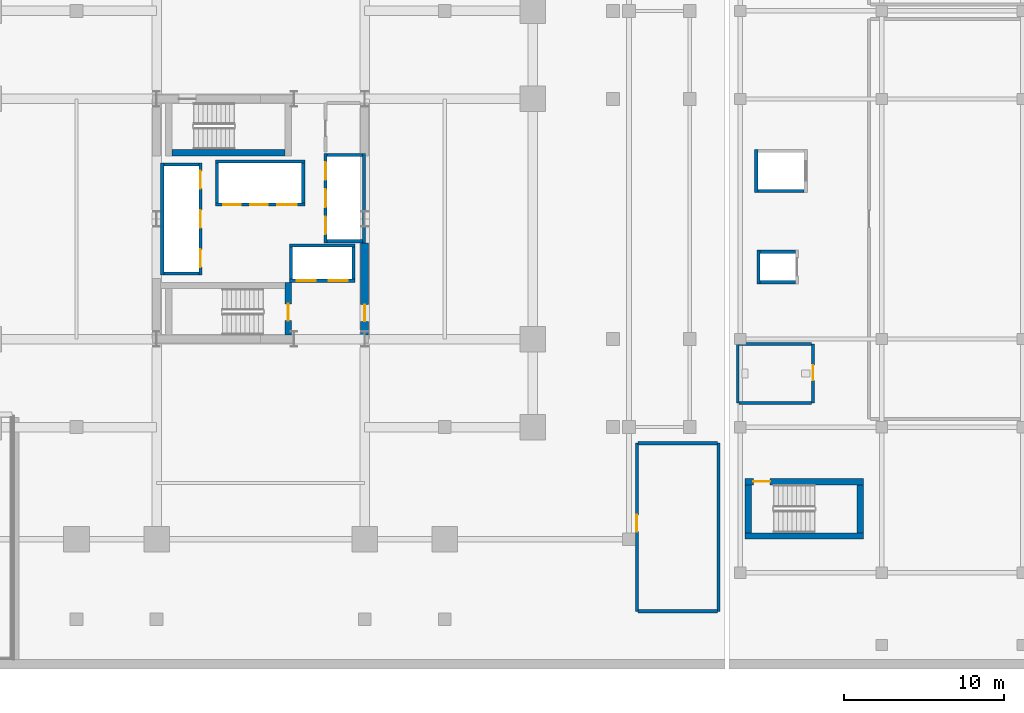
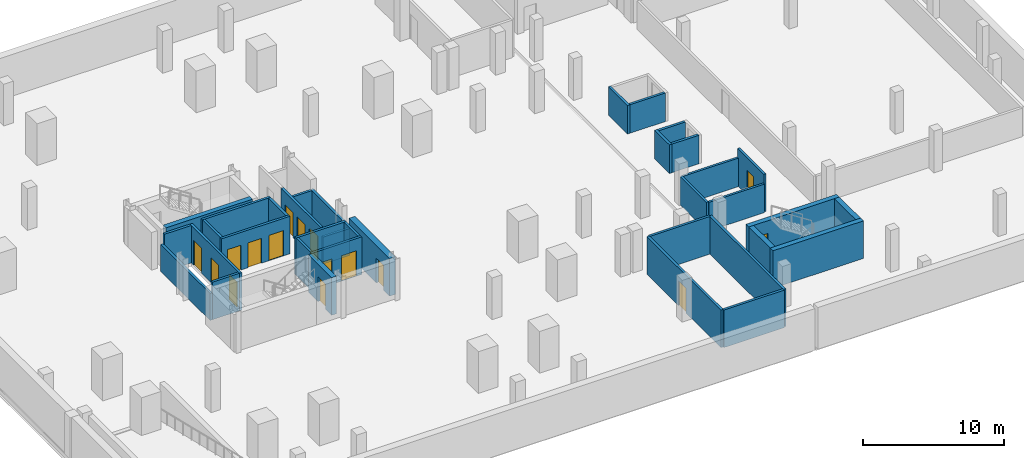
# One storey, part 4 of 11: 36 walls, 16 doors, 16 openings.
"""IFC4 building model written with IfcOpenShell, lengths in metres."""

import ifcopenshell
import ifcopenshell.guid

model = None  # the IFC model being written
_history = None  # IfcOwnerHistory: only IFC2X3 demands one
_inside = {}  # id of a spatial element -> (the spatial element, [elements in it])
_under = {}  # id of a project, library or spatial element -> (it, [spatial elements below it])
_declared = {}  # id of a project -> (the project, [libraries it declares])
_typed = {}  # id of a type object -> (the type object, [elements of that type])
_made_of = {}  # id of a material, layer set ... -> (it, [elements and type objects made of it])


def new_model(schema):
    """Start an empty IFC model of exactly this schema.

    Asked for "IFC4X3", IfcOpenShell would pick the latest addendum, in which some entities
    have other attributes; the version numbers below select the first issue.
    IFC2X3 requires an IfcOwnerHistory on every rooted entity: one is made here for all.
    """
    global model, _history
    if schema == "IFC4X3":
        model = ifcopenshell.file(schema_version=(4, 3, 0, 0))
    else:
        model = ifcopenshell.file(schema=schema)
    _inside.clear()
    _under.clear()
    _declared.clear()
    _typed.clear()
    _made_of.clear()
    _history = None
    if model.schema == "IFC2X3":
        org = make("IfcOrganization", Name="unknown")
        user = make(
            "IfcPersonAndOrganization",
            ThePerson=make("IfcPerson", FamilyName="unknown"),
            TheOrganization=org,
        )
        app = make(
            "IfcApplication",
            ApplicationDeveloper=org,
            Version="unknown",
            ApplicationFullName="unknown",
            ApplicationIdentifier="unknown",
        )
        _history = make(
            "IfcOwnerHistory",
            OwningUser=user,
            OwningApplication=app,
            ChangeAction="ADDED",
            CreationDate=0,
        )
    return model


def make(cls, **values):
    """One entity of the class cls with the attributes given. An attribute that is None is left unset."""
    return model.create_entity(
        cls, **{name: value for name, value in values.items() if value is not None}
    )


def rooted(cls, **values):
    """An entity with a GlobalId (a new one), such as an element, a storey or a relation."""
    return make(cls, GlobalId=ifcopenshell.guid.new(), OwnerHistory=_history, **values)


def si_unit(unit_type, name, prefix=None):
    """IfcSIUnit, for example si_unit("LENGTHUNIT", "METRE", prefix="MILLI")."""
    return make("IfcSIUnit", UnitType=unit_type, Prefix=prefix, Name=name)


def assignment(units):
    """IfcUnitAssignment: the units of a project."""
    return None if units is None else make("IfcUnitAssignment", Units=units)


def point(xyz):
    """IfcCartesianPoint."""
    return None if xyz is None else make("IfcCartesianPoint", Coordinates=xyz)


def direction(xyz):
    """IfcDirection."""
    return None if xyz is None else make("IfcDirection", DirectionRatios=xyz)


def frame(location, z_axis=None, x_axis=None):
    """IfcAxis2Placement3D, a coordinate frame: its origin and axes. An axis left out is left unset."""
    return make(
        "IfcAxis2Placement3D",
        Location=point(location),
        Axis=direction(z_axis),
        RefDirection=direction(x_axis),
    )


def frame_2d(location, x_axis=None):
    """IfcAxis2Placement2D, a coordinate frame in the plane: its origin and x axis."""
    return make(
        "IfcAxis2Placement2D", Location=point(location), RefDirection=direction(x_axis)
    )


def origin():
    """The frame at (0, 0, 0) with its axes left unset."""
    return frame((0.0, 0.0, 0.0))


def place(relative_to, where):
    """IfcLocalPlacement: puts the frame where relative to a parent placement (None: the world)."""
    return make(
        "IfcLocalPlacement", PlacementRelTo=relative_to, RelativePlacement=where
    )


def context(
    kind, dimensions, precision=None, world=None, true_north=None, identifier=None
):
    """IfcGeometricRepresentationContext, for example the 3D "Model" context."""
    return make(
        "IfcGeometricRepresentationContext",
        ContextIdentifier=identifier,
        ContextType=kind,
        CoordinateSpaceDimension=dimensions,
        Precision=precision,
        WorldCoordinateSystem=world,
        TrueNorth=true_north,
    )


def subcontext(parent, identifier, kind, view, scale=None):
    """IfcGeometricRepresentationSubContext, for example "Body" below "Model"."""
    return make(
        "IfcGeometricRepresentationSubContext",
        ContextIdentifier=identifier,
        ContextType=kind,
        ParentContext=parent,
        TargetScale=scale,
        TargetView=view,
    )


def project(units=None, contexts=None):
    """IfcProject with its units and contexts."""
    return rooted(
        "IfcProject",
        Name="project",
        RepresentationContexts=contexts,
        UnitsInContext=assignment(units),
    )


def spatial(cls, under=None, at=None, **own):
    """A site, building, storey or space (cls), placed at a placement, below another one or the project."""
    s = rooted(cls, ObjectPlacement=at, **own)
    if under is not None:
        _under.setdefault(under.id(), (under, []))[1].append(s)
    return s


def profile(cls, at=None, kind="AREA", **sizes):
    """A parametric profile (cls). Its sizes go by their IFC names, for example OverallWidth=200.0."""
    return make(cls, ProfileType=kind, Position=at, **sizes)


def rectangle(**sizes):
    """IfcRectangleProfileDef."""
    return profile("IfcRectangleProfileDef", **sizes)


def extrude(swept, where, along, depth):
    """IfcExtrudedAreaSolid: the profile swept, set in the frame where, extruded along a direction by depth."""
    return make(
        "IfcExtrudedAreaSolid",
        SweptArea=swept,
        Position=where,
        ExtrudedDirection=direction(along),
        Depth=depth,
    )


def shape(context_of_items, identifier, shape_type, items):
    """IfcShapeRepresentation: the items that make up one representation, for example the "Body"."""
    return make(
        "IfcShapeRepresentation",
        ContextOfItems=context_of_items,
        RepresentationIdentifier=identifier,
        RepresentationType=shape_type,
        Items=items,
    )


def material(Name=None, Category=None):
    """IfcMaterial."""
    return make("IfcMaterial", Name=Name, Category=Category)


def layer(
    of_material, thickness, ventilated=None, Name=None, Category=None, Priority=None
):
    """IfcMaterialLayer: one layer of a wall or slab, of a material (None: an air gap)."""
    return make(
        "IfcMaterialLayer",
        Material=of_material,
        LayerThickness=thickness,
        IsVentilated=ventilated,
        Name=Name,
        Category=Category,
        Priority=Priority,
    )


def layer_set(layers, Name=None):
    """IfcMaterialLayerSet."""
    return make("IfcMaterialLayerSet", MaterialLayers=layers, LayerSetName=Name)


def made_of(thing, what):
    """Note that an element or type object is made of a material, layer set ...; save() writes the relation."""
    if what is not None:
        _made_of.setdefault(what.id(), (what, []))[1].append(thing)
    return thing


def type_object(cls, material=None, **own):
    """A type object (cls), such as IfcWallType, which elements share."""
    return made_of(rooted(cls, **own), material)


def element(
    cls,
    number,
    at=None,
    inside=None,
    cuts=None,
    type_object=None,
    material=None,
    context=None,
    identifier="Body",
    shape_type=None,
    held_by="IfcProductDefinitionShape",
    body=None,
    shapes=None,
    **own,
):
    """One element of the class cls, such as IfcWall. Its Tag is "e" and its number.

    at: its placement. inside: the storey or other place that contains it. cuts: it is an
    opening in that element (IfcRelVoidsElement). A single representation is given by context,
    identifier, shape_type and body (its items); several are given by shapes. held_by: the class
    of the entity that holds the representations. save() writes the other relations.
    """
    e = rooted(cls, Tag="e%d" % number, ObjectPlacement=at, **own)
    if body is not None:
        shapes = [shape(context, identifier, shape_type, body)]
    if shapes is not None:
        e.Representation = make(held_by, Representations=shapes)
    if inside is not None:
        _inside.setdefault(inside.id(), (inside, []))[1].append(e)
    if cuts is not None:
        rooted(
            "IfcRelVoidsElement", RelatingBuildingElement=cuts, RelatedOpeningElement=e
        )
    if type_object is not None:
        _typed.setdefault(type_object.id(), (type_object, []))[1].append(e)
    return made_of(e, material)


def fill(opening, filler):
    """IfcRelFillsElement: the door or window that sits in an opening."""
    return rooted(
        "IfcRelFillsElement",
        RelatingOpeningElement=opening,
        RelatedBuildingElement=filler,
    )


def aggregate(whole, parts):
    """IfcRelAggregates: a whole, such as a stair, and the parts it consists of."""
    return rooted("IfcRelAggregates", RelatingObject=whole, RelatedObjects=parts)


def save(model, path):
    """Write the relations noted so far, then the file.

    IfcRelAggregates (storeys below a building ...), IfcRelContainedInSpatialStructure (elements
    in a storey), IfcRelDefinesByType, IfcRelAssociatesMaterial and IfcRelDeclares: one each for
    every whole, place, type object, material and project.
    """
    for whole, parts in _under.values():
        aggregate(whole, parts)
    for where, things in _inside.values():
        rooted(
            "IfcRelContainedInSpatialStructure",
            RelatedElements=things,
            RelatingStructure=where,
        )
    for kind, things in _typed.values():
        rooted("IfcRelDefinesByType", RelatedObjects=things, RelatingType=kind)
    for what, things in _made_of.values():
        rooted("IfcRelAssociatesMaterial", RelatedObjects=things, RelatingMaterial=what)
    for by, libraries in _declared.values():
        rooted("IfcRelDeclares", RelatingContext=by, RelatedDefinitions=libraries)
    model.write(path)


model = new_model("IFC4")

# Units and contexts
model_context = context("Model", 3, precision=1e-05, world=origin(), true_north=direction((0.0, 1.0)))
body_context = subcontext(model_context, "Body", "Model", "MODEL_VIEW")
ifc_project = project(units=[si_unit("LENGTHUNIT", "METRE"), si_unit("AREAUNIT", "SQUARE_METRE"), si_unit("VOLUMEUNIT", "CUBIC_METRE"), si_unit("PLANEANGLEUNIT", "RADIAN"), si_unit("MASSUNIT", "GRAM", prefix="KILO")], contexts=[model_context])

# Site, building, storey
site_placement = place(None, origin())
site = spatial("IfcSite", under=ifc_project, at=site_placement, CompositionType="ELEMENT")
building_placement = place(site_placement, origin())
building = spatial("IfcBuilding", under=site, at=building_placement, Name="Barlavira Tower and Art Museum", CompositionType="ELEMENT")
storey_placement = place(building_placement, frame((0.0, 0.0, -3.60009765625)))
storey = spatial("IfcBuildingStorey", under=building, at=storey_placement, Name="B01", CompositionType="ELEMENT", Elevation=-3.60009765625)

# Wall, opening, door
ifc_material_1 = material(Name="Concrete C60", Category="concrete")
ifc_layer_1 = layer(ifc_material_1, 0.5, Name="Concrete C60")
ifc_layer_set_1 = layer_set([ifc_layer_1], Name="Concrete C60")
wall_type_1 = type_object("IfcWallType", Name="Core Structural Shear Wall 500 Concrete C60", PredefinedType="SHEAR", material=ifc_layer_set_1)
wall_1_placement = place(storey_placement, frame((6.5, -7.25, 0.0), z_axis=(0.0, 0.0, 1.0), x_axis=(0.0, 1.0, 0.0)))
wall_1 = element("IfcWall", 1, at=wall_1_placement, inside=storey, type_object=wall_type_1, Name="B01 Core Shear Wall CS-E1", PredefinedType="SHEAR", context=body_context, shape_type="SweptSolid", body=[
    extrude(rectangle(XDim=5.75, YDim=0.5, at=frame_2d((2.875, 0.0))), origin(), (0.0, 0.0, 1.0), 3.25),
])
opening_1_placement = place(wall_1_placement, frame((0.85009765625, 0.0, 0.0)))
opening_1 = element("IfcOpeningElement", 2, at=opening_1_placement, cuts=wall_1, Name="Opening FD-90", PredefinedType="OPENING", context=body_context, shape_type="SweptSolid", body=[
    extrude(rectangle(XDim=1.050048828125, YDim=2.14990234375, at=frame_2d((0.52490234375, 1.074951171875))), frame((0.0, 0.260009765625, 0.0), z_axis=(0.0, -1.0, 0.0), x_axis=(1.0, 0.0, 0.0)), (0.0, 0.0, 1.0), 0.52001953125),
])
ifc_material_2 = material(Name="Brushed stainless steel", Category="steel")
door_type_1 = type_object("IfcDoorType", Name="Stair and Refuge Fire Door 1050x2150 FD90S", OperationType="NOTDEFINED", PredefinedType="DOOR", material=ifc_material_2)
door_1_placement = place(opening_1_placement, origin())
door_1 = element("IfcDoor", 3, at=door_1_placement, inside=storey, type_object=door_type_1, Name="B01 Firefighting Lobby Entry Fire Door", OperationType="SINGLE_SWING_LEFT", OverallHeight=2.14990234375, OverallWidth=1.050048828125, PredefinedType="DOOR", context=body_context, shape_type="SweptSolid", body=[
    extrude(rectangle(XDim=1.050048828125, YDim=2.14990234375, at=frame_2d((0.52490234375, 1.074951171875))), frame((0.0, 0.02490234375, 0.0), z_axis=(0.0, -1.0, 0.0), x_axis=(1.0, 0.0, 0.0)), (0.0, 0.0, 1.0), 0.050048828125),
])
fill(opening_1, door_1)

# Wall, openings, doors
ifc_material_3 = material(Name="Autoclaved aerated concrete masonry", Category="masonry")
ifc_layer_2 = layer(ifc_material_3, 0.199951171875, Name="Autoclaved aerated concrete masonry")
ifc_layer_set_2 = layer_set([ifc_layer_2], Name="Autoclaved aerated concrete masonry")
wall_type_2 = type_object("IfcWallType", Name="Fire Compartment and Shaft Wall 200", PredefinedType="SOLIDWALL", material=ifc_layer_set_2)
wall_2_placement = place(storey_placement, frame((-3.75, -3.510009765625, 0.0), z_axis=(0.0, 0.0, 1.0), x_axis=(0.0, 1.0, 0.0)))
wall_2 = element("IfcWall", 4, at=wall_2_placement, inside=storey, type_object=wall_type_2, Name="B01 Low-Rise Lift Front Shaft Wall", PredefinedType="SOLIDWALL", context=body_context, shape_type="SweptSolid", body=[
    extrude(rectangle(XDim=7.02001953125, YDim=0.199951171875, at=frame_2d((3.510009765625, 0.0))), origin(), (0.0, 0.0, 1.0), 3.25),
])
opening_2_placement = place(wall_2_placement, frame((0.510009765625, 0.0, 0.0)))
opening_2 = element("IfcOpeningElement", 5, at=opening_2_placement, cuts=wall_2, Name="Opening LD-P", PredefinedType="OPENING", context=body_context, shape_type="SweptSolid", body=[
    extrude(rectangle(XDim=1.10009765625, YDim=2.14990234375, at=frame_2d((0.550048828125, 1.074951171875))), frame((0.0, 0.10986328125, 0.0), z_axis=(0.0, -1.0, 0.0), x_axis=(1.0, 0.0, 0.0)), (0.0, 0.0, 1.0), 0.219970703125),
])
opening_3_placement = place(wall_2_placement, frame((2.9599609375, 0.0, 0.0)))
opening_3 = element("IfcOpeningElement", 6, at=opening_3_placement, cuts=wall_2, Name="Opening LD-P", PredefinedType="OPENING", context=body_context, shape_type="SweptSolid", body=[
    extrude(rectangle(XDim=1.10009765625, YDim=2.14990234375, at=frame_2d((0.550048828125, 1.074951171875))), frame((0.0, 0.10986328125, 0.0), z_axis=(0.0, -1.0, 0.0), x_axis=(1.0, 0.0, 0.0)), (0.0, 0.0, 1.0), 0.219970703125),
])
opening_4_placement = place(wall_2_placement, frame((5.409912109375, 0.0, 0.0)))
opening_4 = element("IfcOpeningElement", 7, at=opening_4_placement, cuts=wall_2, Name="Opening LD-P", PredefinedType="OPENING", context=body_context, shape_type="SweptSolid", body=[
    extrude(rectangle(XDim=1.10009765625, YDim=2.14990234375, at=frame_2d((0.550048828125, 1.074951171875))), frame((0.0, 0.10986328125, 0.0), z_axis=(0.0, -1.0, 0.0), x_axis=(1.0, 0.0, 0.0)), (0.0, 0.0, 1.0), 0.219970703125),
])
door_type_2 = type_object("IfcDoorType", Name="Passenger Lift Sliding Landing Door 1100x2150 FD60", OperationType="NOTDEFINED", PredefinedType="DOOR", material=ifc_material_2)
door_2_placement = place(opening_2_placement, origin())
door_2 = element("IfcDoor", 8, at=door_2_placement, inside=storey, type_object=door_type_2, Name="B01 Lift PL1 Sliding Landing Door", OperationType="DOUBLE_DOOR_SLIDING", OverallHeight=2.14990234375, OverallWidth=1.10009765625, PredefinedType="DOOR", context=body_context, shape_type="SweptSolid", body=[
    extrude(rectangle(XDim=1.10009765625, YDim=2.14990234375, at=frame_2d((0.550048828125, 1.074951171875))), frame((0.0, 0.02490234375, 0.0), z_axis=(0.0, -1.0, 0.0), x_axis=(1.0, 0.0, 0.0)), (0.0, 0.0, 1.0), 0.050048828125),
])
fill(opening_2, door_2)
door_3_placement = place(opening_3_placement, origin())
door_3 = element("IfcDoor", 9, at=door_3_placement, inside=storey, type_object=door_type_2, Name="B01 Lift PL2 Sliding Landing Door", OperationType="DOUBLE_DOOR_SLIDING", OverallHeight=2.14990234375, OverallWidth=1.10009765625, PredefinedType="DOOR", context=body_context, shape_type="SweptSolid", body=[
    extrude(rectangle(XDim=1.10009765625, YDim=2.14990234375, at=frame_2d((0.550048828125, 1.074951171875))), frame((0.0, 0.02490234375, 0.0), z_axis=(0.0, -1.0, 0.0), x_axis=(1.0, 0.0, 0.0)), (0.0, 0.0, 1.0), 0.050048828125),
])
fill(opening_3, door_3)
door_4_placement = place(opening_4_placement, origin())
door_4 = element("IfcDoor", 10, at=door_4_placement, inside=storey, type_object=door_type_2, Name="B01 Lift PL3 Sliding Landing Door", OperationType="DOUBLE_DOOR_SLIDING", OverallHeight=2.14990234375, OverallWidth=1.10009765625, PredefinedType="DOOR", context=body_context, shape_type="SweptSolid", body=[
    extrude(rectangle(XDim=1.10009765625, YDim=2.14990234375, at=frame_2d((0.550048828125, 1.074951171875))), frame((0.0, 0.02490234375, 0.0), z_axis=(0.0, -1.0, 0.0), x_axis=(1.0, 0.0, 0.0)), (0.0, 0.0, 1.0), 0.050048828125),
])
fill(opening_4, door_4)

# Walls
wall_3_placement = place(storey_placement, frame((-6.14990234375, -3.510009765625, 0.0), z_axis=(0.0, 0.0, 1.0), x_axis=(0.0, 1.0, 0.0)))
element("IfcWall", 11, at=wall_3_placement, inside=storey, type_object=wall_type_2, Name="B01 Low-Rise Lift Back Shaft Wall", PredefinedType="SOLIDWALL", context=body_context, shape_type="SweptSolid", body=[
    extrude(rectangle(XDim=7.02001953125, YDim=0.199951171875, at=frame_2d((3.510009765625, 0.0))), origin(), (0.0, 0.0, 1.0), 2.335205078125),
])
for number, where, z_axis, x_axis, name in (
    (12, (-6.050048828125, -3.409912109375, 0.0), (0.0, 0.0, 1.0), (1.0, 0.0, 0.0), "B01 Low-Rise Lift South Shaft Wall"),
    (13, (-6.050048828125, 3.409912109375, 0.0), (0.0, 0.0, 1.0), (1.0, 0.0, 0.0), "B01 Low-Rise Lift North Shaft Wall"),
):
    element("IfcWall", number, at=place(storey_placement, frame(where, z_axis=z_axis, x_axis=x_axis)), inside=storey, type_object=wall_type_2, Name=name, PredefinedType="SOLIDWALL", context=body_context, shape_type="SweptSolid", body=[
        extrude(rectangle(XDim=2.199951171875, YDim=0.199951171875, at=frame_2d((1.10009765625, 0.0))), origin(), (0.0, 0.0, 1.0), 3.25),
    ])

# Wall, openings, doors
wall_4_placement = place(storey_placement, frame((4.050048828125, -1.489990234375, 0.0), z_axis=(0.0, 0.0, 1.0), x_axis=(0.0, 1.0, 0.0)))
wall_4 = element("IfcWall", 14, at=wall_4_placement, inside=storey, type_object=wall_type_2, Name="B01 Mid-Rise Lift Front Shaft Wall", PredefinedType="SOLIDWALL", context=body_context, shape_type="SweptSolid", body=[
    extrude(rectangle(XDim=5.580078125, YDim=0.199951171875, at=frame_2d((2.7900390625, 0.0))), origin(), (0.0, 0.0, 1.0), 3.25),
])
opening_5_placement = place(wall_4_placement, frame((0.5400390625, 0.0, 0.0)))
opening_5 = element("IfcOpeningElement", 15, at=opening_5_placement, cuts=wall_4, Name="Opening LD-P", PredefinedType="OPENING", context=body_context, shape_type="SweptSolid", body=[
    extrude(rectangle(XDim=1.10009765625, YDim=2.14990234375, at=frame_2d((0.550048828125, 1.074951171875))), frame((0.0, 0.10986328125, 0.0), z_axis=(0.0, -1.0, 0.0), x_axis=(1.0, 0.0, 0.0)), (0.0, 0.0, 1.0), 0.219970703125),
])
opening_6_placement = place(wall_4_placement, frame((2.239990234375, 0.0, 0.0)))
opening_6 = element("IfcOpeningElement", 16, at=opening_6_placement, cuts=wall_4, Name="Opening LD-P", PredefinedType="OPENING", context=body_context, shape_type="SweptSolid", body=[
    extrude(rectangle(XDim=1.10009765625, YDim=2.14990234375, at=frame_2d((0.550048828125, 1.074951171875))), frame((0.0, 0.10986328125, 0.0), z_axis=(0.0, -1.0, 0.0), x_axis=(1.0, 0.0, 0.0)), (0.0, 0.0, 1.0), 0.219970703125),
])
opening_7_placement = place(wall_4_placement, frame((3.93994140625, 0.0, 0.0)))
opening_7 = element("IfcOpeningElement", 17, at=opening_7_placement, cuts=wall_4, Name="Opening LD-P", PredefinedType="OPENING", context=body_context, shape_type="SweptSolid", body=[
    extrude(rectangle(XDim=1.10009765625, YDim=2.14990234375, at=frame_2d((0.550048828125, 1.074951171875))), frame((0.0, 0.10986328125, 0.0), z_axis=(0.0, -1.0, 0.0), x_axis=(1.0, 0.0, 0.0)), (0.0, 0.0, 1.0), 0.219970703125),
])
door_5_placement = place(opening_5_placement, origin())
door_5 = element("IfcDoor", 18, at=door_5_placement, inside=storey, type_object=door_type_2, Name="B01 Lift PM1 Sliding Landing Door", OperationType="DOUBLE_DOOR_SLIDING", OverallHeight=2.14990234375, OverallWidth=1.10009765625, PredefinedType="DOOR", context=body_context, shape_type="SweptSolid", body=[
    extrude(rectangle(XDim=1.10009765625, YDim=2.14990234375, at=frame_2d((0.550048828125, 1.074951171875))), frame((0.0, 0.02490234375, 0.0), z_axis=(0.0, -1.0, 0.0), x_axis=(1.0, 0.0, 0.0)), (0.0, 0.0, 1.0), 0.050048828125),
])
fill(opening_5, door_5)
door_6_placement = place(opening_6_placement, origin())
door_6 = element("IfcDoor", 19, at=door_6_placement, inside=storey, type_object=door_type_2, Name="B01 Lift PM2 Sliding Landing Door", OperationType="DOUBLE_DOOR_SLIDING", OverallHeight=2.14990234375, OverallWidth=1.10009765625, PredefinedType="DOOR", context=body_context, shape_type="SweptSolid", body=[
    extrude(rectangle(XDim=1.10009765625, YDim=2.14990234375, at=frame_2d((0.550048828125, 1.074951171875))), frame((0.0, 0.02490234375, 0.0), z_axis=(0.0, -1.0, 0.0), x_axis=(1.0, 0.0, 0.0)), (0.0, 0.0, 1.0), 0.050048828125),
])
fill(opening_6, door_6)
door_7_placement = place(opening_7_placement, origin())
door_7 = element("IfcDoor", 20, at=door_7_placement, inside=storey, type_object=door_type_2, Name="B01 Lift PM3 Sliding Landing Door", OperationType="DOUBLE_DOOR_SLIDING", OverallHeight=2.14990234375, OverallWidth=1.10009765625, PredefinedType="DOOR", context=body_context, shape_type="SweptSolid", body=[
    extrude(rectangle(XDim=1.10009765625, YDim=2.14990234375, at=frame_2d((0.550048828125, 1.074951171875))), frame((0.0, 0.02490234375, 0.0), z_axis=(0.0, -1.0, 0.0), x_axis=(1.0, 0.0, 0.0)), (0.0, 0.0, 1.0), 0.050048828125),
])
fill(opening_7, door_7)

# Walls
wall_5_placement = place(storey_placement, frame((6.449951171875, -1.489990234375, 0.0), z_axis=(0.0, 0.0, 1.0), x_axis=(0.0, 1.0, 0.0)))
element("IfcWall", 21, at=wall_5_placement, inside=storey, type_object=wall_type_2, Name="B01 Mid-Rise Lift Back Shaft Wall", PredefinedType="SOLIDWALL", context=body_context, shape_type="SweptSolid", body=[
    extrude(rectangle(XDim=5.580078125, YDim=0.199951171875, at=frame_2d((2.7900390625, 0.0))), origin(), (0.0, 0.0, 1.0), 2.335205078125),
])
for number, where, z_axis, x_axis, name in (
    (22, (4.14990234375, -1.389892578125, 0.0), (0.0, 0.0, 1.0), (1.0, 0.0, 0.0), "B01 Mid-Rise Lift South Shaft Wall"),
    (23, (4.14990234375, 3.989990234375, 0.0), (0.0, 0.0, 1.0), (1.0, 0.0, 0.0), "B01 Mid-Rise Lift North Shaft Wall"),
):
    element("IfcWall", number, at=place(storey_placement, frame(where, z_axis=z_axis, x_axis=x_axis)), inside=storey, type_object=wall_type_2, Name=name, PredefinedType="SOLIDWALL", context=body_context, shape_type="SweptSolid", body=[
        extrude(rectangle(XDim=2.2001953125, YDim=0.199951171875, at=frame_2d((1.10009765625, 0.0))), origin(), (0.0, 0.0, 1.0), 2.335205078125),
    ])

# Wall, openings, doors
wall_6_placement = place(storey_placement, frame((-2.820068359375, 0.89990234375, 0.0), z_axis=(0.0, 0.0, 1.0), x_axis=(1.0, 0.0, 0.0)))
wall_6 = element("IfcWall", 24, at=wall_6_placement, inside=storey, type_object=wall_type_2, Name="B01 High-Rise & Service Lift Front Wall", PredefinedType="SOLIDWALL", context=body_context, shape_type="SweptSolid", body=[
    extrude(rectangle(XDim=5.580078125, YDim=0.199951171875, at=frame_2d((2.7900390625, 0.0))), origin(), (0.0, 0.0, 1.0), 3.25),
])
opening_8_placement = place(wall_6_placement, frame((0.489990234375, 0.0, 0.0)))
opening_8 = element("IfcOpeningElement", 25, at=opening_8_placement, cuts=wall_6, Name="Opening LD-P", PredefinedType="OPENING", context=body_context, shape_type="SweptSolid", body=[
    extrude(rectangle(XDim=1.10009765625, YDim=2.14990234375, at=frame_2d((0.550048828125, 1.074951171875))), frame((0.0, 0.10986328125, 0.0), z_axis=(0.0, -1.0, 0.0), x_axis=(1.0, 0.0, 0.0)), (0.0, 0.0, 1.0), 0.219970703125),
])
opening_9_placement = place(wall_6_placement, frame((2.169921875, 0.0, 0.0)))
opening_9 = element("IfcOpeningElement", 26, at=opening_9_placement, cuts=wall_6, Name="Opening LD-P", PredefinedType="OPENING", context=body_context, shape_type="SweptSolid", body=[
    extrude(rectangle(XDim=1.10009765625, YDim=2.14990234375, at=frame_2d((0.550048828125, 1.074951171875))), frame((0.0, 0.10986328125, 0.0), z_axis=(0.0, -1.0, 0.0), x_axis=(1.0, 0.0, 0.0)), (0.0, 0.0, 1.0), 0.219970703125),
])
opening_10_placement = place(wall_6_placement, frame((3.860107421875, 0.0, 0.0)))
opening_10 = element("IfcOpeningElement", 27, at=opening_10_placement, cuts=wall_6, Name="Opening LD-F", PredefinedType="OPENING", context=body_context, shape_type="SweptSolid", body=[
    extrude(rectangle(XDim=1.199951171875, YDim=2.199951171875, at=frame_2d((0.60009765625, 1.10009765625))), frame((0.0, 0.10986328125, 0.0), z_axis=(0.0, -1.0, 0.0), x_axis=(1.0, 0.0, 0.0)), (0.0, 0.0, 1.0), 0.219970703125),
])
door_type_3 = type_object("IfcDoorType", Name="Firefighting and Service Lift Sliding Door 1200x2200 FD120", OperationType="NOTDEFINED", PredefinedType="DOOR", material=ifc_material_2)
door_8_placement = place(opening_10_placement, origin())
door_8 = element("IfcDoor", 28, at=door_8_placement, inside=storey, type_object=door_type_3, Name="B01 Stretcher Service Lift SL1 Sliding Door", OperationType="DOUBLE_DOOR_SLIDING", OverallHeight=2.199951171875, OverallWidth=1.199951171875, PredefinedType="DOOR", context=body_context, shape_type="SweptSolid", body=[
    extrude(rectangle(XDim=1.199951171875, YDim=2.199951171875, at=frame_2d((0.60009765625, 1.10009765625))), frame((0.0, 0.02490234375, 0.0), z_axis=(0.0, -1.0, 0.0), x_axis=(1.0, 0.0, 0.0)), (0.0, 0.0, 1.0), 0.050048828125),
])
fill(opening_10, door_8)
door_9_placement = place(opening_8_placement, origin())
door_9 = element("IfcDoor", 29, at=door_9_placement, inside=storey, type_object=door_type_2, Name="B01 Lift PH1 Sliding Landing Door", OperationType="DOUBLE_DOOR_SLIDING", OverallHeight=2.14990234375, OverallWidth=1.10009765625, PredefinedType="DOOR", context=body_context, shape_type="SweptSolid", body=[
    extrude(rectangle(XDim=1.10009765625, YDim=2.14990234375, at=frame_2d((0.550048828125, 1.074951171875))), frame((0.0, 0.02490234375, 0.0), z_axis=(0.0, -1.0, 0.0), x_axis=(1.0, 0.0, 0.0)), (0.0, 0.0, 1.0), 0.050048828125),
])
fill(opening_8, door_9)
door_10_placement = place(opening_9_placement, origin())
door_10 = element("IfcDoor", 30, at=door_10_placement, inside=storey, type_object=door_type_2, Name="B01 Lift PH2 Sliding Landing Door", OperationType="DOUBLE_DOOR_SLIDING", OverallHeight=2.14990234375, OverallWidth=1.10009765625, PredefinedType="DOOR", context=body_context, shape_type="SweptSolid", body=[
    extrude(rectangle(XDim=1.10009765625, YDim=2.14990234375, at=frame_2d((0.550048828125, 1.074951171875))), frame((0.0, 0.02490234375, 0.0), z_axis=(0.0, -1.0, 0.0), x_axis=(1.0, 0.0, 0.0)), (0.0, 0.0, 1.0), 0.050048828125),
])
fill(opening_9, door_10)

# Walls
wall_7_placement = place(storey_placement, frame((-2.820068359375, 3.60009765625, 0.0), z_axis=(0.0, 0.0, 1.0), x_axis=(1.0, 0.0, 0.0)))
element("IfcWall", 31, at=wall_7_placement, inside=storey, type_object=wall_type_2, Name="B01 High-Rise & Service Lift Back Wall", PredefinedType="SOLIDWALL", context=body_context, shape_type="SweptSolid", body=[
    extrude(rectangle(XDim=5.580078125, YDim=0.199951171875, at=frame_2d((2.7900390625, 0.0))), origin(), (0.0, 0.0, 1.0), 3.25),
])
for number, where, z_axis, x_axis, name in (
    (32, (-2.719970703125, 1.0, 0.0), (0.0, 0.0, 1.0), (0.0, 1.0, 0.0), "B01 High-Rise & Service Lift West Wall"),
    (33, (2.659912109375, 1.0, 0.0), (0.0, 0.0, 1.0), (0.0, 1.0, 0.0), "B01 High-Rise & Service Lift East Wall"),
):
    element("IfcWall", number, at=place(storey_placement, frame(where, z_axis=z_axis, x_axis=x_axis)), inside=storey, type_object=wall_type_2, Name=name, PredefinedType="SOLIDWALL", context=body_context, shape_type="SweptSolid", body=[
        extrude(rectangle(XDim=2.5, YDim=0.199951171875, at=frame_2d((1.25, 0.0))), origin(), (0.0, 0.0, 1.0), 3.25),
    ])

# Wall, openings, doors
wall_8_placement = place(storey_placement, frame((1.800048828125, -3.85009765625, 0.0), z_axis=(0.0, 0.0, 1.0), x_axis=(1.0, 0.0, 0.0)))
wall_8 = element("IfcWall", 34, at=wall_8_placement, inside=storey, type_object=wall_type_2, Name="B01 Firefighting Lift Front Shaft Wall", PredefinedType="SOLIDWALL", context=body_context, shape_type="SweptSolid", body=[
    extrude(rectangle(XDim=4.099853515625, YDim=0.199951171875, at=frame_2d((2.0498046875, 0.0))), origin(), (0.0, 0.0, 1.0), 3.25),
])
opening_11_placement = place(wall_8_placement, frame((0.449951171875, 0.0, 0.0)))
opening_11 = element("IfcOpeningElement", 35, at=opening_11_placement, cuts=wall_8, Name="Opening LD-F", PredefinedType="OPENING", context=body_context, shape_type="SweptSolid", body=[
    extrude(rectangle(XDim=1.199951171875, YDim=2.199951171875, at=frame_2d((0.60009765625, 1.10009765625))), frame((0.0, 0.10986328125, 0.0), z_axis=(0.0, -1.0, 0.0), x_axis=(1.0, 0.0, 0.0)), (0.0, 0.0, 1.0), 0.219970703125),
])
opening_12_placement = place(wall_8_placement, frame((2.449951171875, 0.0, 0.0)))
opening_12 = element("IfcOpeningElement", 36, at=opening_12_placement, cuts=wall_8, Name="Opening LD-F", PredefinedType="OPENING", context=body_context, shape_type="SweptSolid", body=[
    extrude(rectangle(XDim=1.199951171875, YDim=2.199951171875, at=frame_2d((0.60009765625, 1.10009765625))), frame((0.0, 0.10986328125, 0.0), z_axis=(0.0, -1.0, 0.0), x_axis=(1.0, 0.0, 0.0)), (0.0, 0.0, 1.0), 0.219970703125),
])
door_11_placement = place(opening_11_placement, origin())
door_11 = element("IfcDoor", 37, at=door_11_placement, inside=storey, type_object=door_type_3, Name="B01 Firefighting Lift FF1 Sliding Door", OperationType="DOUBLE_DOOR_SLIDING", OverallHeight=2.199951171875, OverallWidth=1.199951171875, PredefinedType="DOOR", context=body_context, shape_type="SweptSolid", body=[
    extrude(rectangle(XDim=1.199951171875, YDim=2.199951171875, at=frame_2d((0.60009765625, 1.10009765625))), frame((0.0, 0.02490234375, 0.0), z_axis=(0.0, -1.0, 0.0), x_axis=(1.0, 0.0, 0.0)), (0.0, 0.0, 1.0), 0.050048828125),
])
fill(opening_11, door_11)
door_12_placement = place(opening_12_placement, origin())
door_12 = element("IfcDoor", 38, at=door_12_placement, inside=storey, type_object=door_type_3, Name="B01 Firefighting Lift FF2 Sliding Door", OperationType="DOUBLE_DOOR_SLIDING", OverallHeight=2.199951171875, OverallWidth=1.199951171875, PredefinedType="DOOR", context=body_context, shape_type="SweptSolid", body=[
    extrude(rectangle(XDim=1.199951171875, YDim=2.199951171875, at=frame_2d((0.60009765625, 1.10009765625))), frame((0.0, 0.02490234375, 0.0), z_axis=(0.0, -1.0, 0.0), x_axis=(1.0, 0.0, 0.0)), (0.0, 0.0, 1.0), 0.050048828125),
])
fill(opening_12, door_12)

# Walls
wall_9_placement = place(storey_placement, frame((1.800048828125, -1.64990234375, 0.0), z_axis=(0.0, 0.0, 1.0), x_axis=(1.0, 0.0, 0.0)))
element("IfcWall", 39, at=wall_9_placement, inside=storey, type_object=wall_type_2, Name="B01 Firefighting Lift Back Shaft Wall", PredefinedType="SOLIDWALL", context=body_context, shape_type="SweptSolid", body=[
    extrude(rectangle(XDim=4.099853515625, YDim=0.199951171875, at=frame_2d((2.0498046875, 0.0))), origin(), (0.0, 0.0, 1.0), 3.25),
])
for number, where, z_axis, x_axis, name in (
    (40, (1.89990234375, -3.75, 0.0), (0.0, 0.0, 1.0), (0.0, 1.0, 0.0), "B01 Firefighting Lift West Shaft Wall"),
    (41, (5.800048828125, -3.75, 0.0), (0.0, 0.0, 1.0), (0.0, 1.0, 0.0), "B01 Firefighting Lift East Shaft Wall"),
):
    element("IfcWall", number, at=place(storey_placement, frame(where, z_axis=z_axis, x_axis=x_axis)), inside=storey, type_object=wall_type_2, Name=name, PredefinedType="SOLIDWALL", context=body_context, shape_type="SweptSolid", body=[
        extrude(rectangle(XDim=2.0, YDim=0.199951171875, at=frame_2d((1.0, 0.0))), origin(), (0.0, 0.0, 1.0), 3.25),
    ])
wall_10_placement = place(storey_placement, frame((31.10009765625, -4.050048828125, 0.0), z_axis=(0.0, 0.0, 1.0), x_axis=(0.0, 1.0, 0.0)))
element("IfcWall", 42, at=wall_10_placement, inside=storey, type_object=wall_type_2, Name="B01 Museum Lift ML1 Back Wall", PredefinedType="SOLIDWALL", context=body_context, shape_type="SweptSolid", body=[
    extrude(rectangle(XDim=2.10009765625, YDim=0.199951171875, at=frame_2d((1.050048828125, 0.0))), origin(), (0.0, 0.0, 1.0), 2.467041015625),
])
for number, where, z_axis, x_axis, name in (
    (43, (31.199951171875, -3.949951171875, 0.0), (0.0, 0.0, 1.0), (1.0, 0.0, 0.0), "B01 Museum Lift ML1 South Wall"),
    (44, (31.199951171875, -2.050048828125, 0.0), (0.0, 0.0, 1.0), (1.0, 0.0, 0.0), "B01 Museum Lift ML1 North Wall"),
):
    element("IfcWall", number, at=place(storey_placement, frame(where, z_axis=z_axis, x_axis=x_axis)), inside=storey, type_object=wall_type_2, Name=name, PredefinedType="SOLIDWALL", context=body_context, shape_type="SweptSolid", body=[
        extrude(rectangle(XDim=2.199951171875, YDim=0.199951171875, at=frame_2d((1.10009765625, 0.0))), origin(), (0.0, 0.0, 1.0), 2.467041015625),
    ])
wall_11_placement = place(storey_placement, frame((30.949951171875, 1.64990234375, 0.0), z_axis=(0.0, 0.0, 1.0), x_axis=(0.0, 1.0, 0.0)))
element("IfcWall", 45, at=wall_11_placement, inside=storey, type_object=wall_type_2, Name="B01 Museum Lift MG1 Back Wall", PredefinedType="SOLIDWALL", context=body_context, shape_type="SweptSolid", body=[
    extrude(rectangle(XDim=2.7001953125, YDim=0.199951171875, at=frame_2d((1.35009765625, 0.0))), origin(), (0.0, 0.0, 1.0), 2.467041015625),
])
wall_12_placement = place(storey_placement, frame((31.050048828125, 1.75, 0.0), z_axis=(0.0, 0.0, 1.0), x_axis=(1.0, 0.0, 0.0)))
element("IfcWall", 46, at=wall_12_placement, inside=storey, type_object=wall_type_2, Name="B01 Museum Lift MG1 South Wall", PredefinedType="SOLIDWALL", context=body_context, shape_type="SweptSolid", body=[
    extrude(rectangle(XDim=2.89990234375, YDim=0.199951171875, at=frame_2d((1.449951171875, 0.0))), origin(), (0.0, 0.0, 1.0), 2.467041015625),
])

# Wall, opening, door
wall_13_placement = place(storey_placement, frame((23.5, -24.5, 0.0), z_axis=(0.0, 0.0, 1.0), x_axis=(0.0, 1.0, 0.0)))
wall_13 = element("IfcWall", 47, at=wall_13_placement, inside=storey, type_object=wall_type_2, Name="B01 Partition Wall 2", PredefinedType="SOLIDWALL", context=body_context, shape_type="SweptSolid", body=[
    extrude(rectangle(XDim=10.5, YDim=0.199951171875, at=frame_2d((5.25, 0.0))), origin(), (0.0, 0.0, 1.0), 3.25),
])
opening_13_placement = place(wall_13_placement, frame((4.97509765625, 0.0, 0.0)))
opening_13 = element("IfcOpeningElement", 48, at=opening_13_placement, cuts=wall_13, Name="Opening FD-90", PredefinedType="OPENING", context=body_context, shape_type="SweptSolid", body=[
    extrude(rectangle(XDim=1.050048828125, YDim=2.14990234375, at=frame_2d((0.52490234375, 1.074951171875))), frame((0.0, 0.10986328125, 0.0), z_axis=(0.0, -1.0, 0.0), x_axis=(1.0, 0.0, 0.0)), (0.0, 0.0, 1.0), 0.219970703125),
])
door_13_placement = place(opening_13_placement, origin())
door_13 = element("IfcDoor", 49, at=door_13_placement, inside=storey, type_object=door_type_1, Name="B01 Fire Pump and Sprinkler Tank Room Door", OperationType="SINGLE_SWING_LEFT", OverallHeight=2.14990234375, OverallWidth=1.050048828125, PredefinedType="DOOR", context=body_context, shape_type="SweptSolid", body=[
    extrude(rectangle(XDim=1.050048828125, YDim=2.14990234375, at=frame_2d((0.52490234375, 1.074951171875))), frame((0.0, 0.02490234375, 0.0), z_axis=(0.0, -1.0, 0.0), x_axis=(1.0, 0.0, 0.0)), (0.0, 0.0, 1.0), 0.050048828125),
])
fill(opening_13, door_13)

# Walls
wall_14_placement = place(storey_placement, frame((28.60009765625, -24.5, 0.0), z_axis=(0.0, 0.0, 1.0), x_axis=(0.0, 1.0, 0.0)))
element("IfcWall", 50, at=wall_14_placement, inside=storey, type_object=wall_type_2, Name="B01 Partition Wall 4", PredefinedType="SOLIDWALL", context=body_context, shape_type="SweptSolid", body=[
    extrude(rectangle(XDim=10.5, YDim=0.199951171875, at=frame_2d((5.25, 0.0))), origin(), (0.0, 0.0, 1.0), 3.25),
])
for number, where, z_axis, x_axis, name in (
    (51, (23.580078125, -24.5, 0.0), (0.0, 0.0, 1.0), (1.0, 0.0, 0.0), "B01 Partition Wall 12"),
    (52, (23.580078125, -14.0, 0.0), (0.0, 0.0, 1.0), (1.0, 0.0, 0.0), "B01 Partition Wall 13"),
):
    element("IfcWall", number, at=place(storey_placement, frame(where, z_axis=z_axis, x_axis=x_axis)), inside=storey, type_object=wall_type_2, Name=name, PredefinedType="SOLIDWALL", context=body_context, shape_type="SweptSolid", body=[
        extrude(rectangle(XDim=4.93994140625, YDim=0.199951171875, at=frame_2d((2.469970703125, 0.0))), origin(), (0.0, 0.0, 1.0), 3.25),
    ])
ifc_material_4 = material(Name="Gypsum acoustic stud partition", Category="gypsum")
ifc_layer_3 = layer(ifc_material_4, 0.179931640625, Name="Gypsum acoustic stud partition")
ifc_layer_set_3 = layer_set([ifc_layer_3], Name="Gypsum acoustic stud partition")
wall_type_3 = type_object("IfcWallType", Name="Inter-Tenancy Party Partition Wall 180", PredefinedType="PARTITIONING", material=ifc_layer_set_3)
wall_15_placement = place(storey_placement, frame((29.800048828125, -11.5, 0.0), z_axis=(0.0, 0.0, 1.0), x_axis=(0.0, 1.0, 0.0)))
element("IfcWall", 53, at=wall_15_placement, inside=storey, type_object=wall_type_3, Name="B01 Partition Wall 6", PredefinedType="PARTITIONING", context=body_context, shape_type="SweptSolid", body=[
    extrude(rectangle(XDim=3.699951171875, YDim=0.179931640625, at=frame_2d((1.85009765625, 0.0))), origin(), (0.0, 0.0, 1.0), 2.467041015625),
])

# Wall, opening, door
wall_16_placement = place(storey_placement, frame((34.5, -11.5, 0.0), z_axis=(0.0, 0.0, 1.0), x_axis=(0.0, 1.0, 0.0)))
wall_16 = element("IfcWall", 54, at=wall_16_placement, inside=storey, type_object=wall_type_3, Name="B01 Partition Wall 7", PredefinedType="PARTITIONING", context=body_context, shape_type="SweptSolid", body=[
    extrude(rectangle(XDim=3.699951171875, YDim=0.179931640625, at=frame_2d((1.85009765625, 0.0))), origin(), (0.0, 0.0, 1.0), 3.25),
])
opening_14_placement = place(wall_16_placement, frame((1.425048828125, 0.0, 0.0)))
opening_14 = element("IfcOpeningElement", 55, at=opening_14_placement, cuts=wall_16, Name="Opening FD-60", PredefinedType="OPENING", context=body_context, shape_type="SweptSolid", body=[
    extrude(rectangle(XDim=0.949951171875, YDim=2.14990234375, at=frame_2d((0.47509765625, 1.074951171875))), frame((0.0, 0.10009765625, 0.0), z_axis=(0.0, -1.0, 0.0), x_axis=(1.0, 0.0, 0.0)), (0.0, 0.0, 1.0), 0.199951171875),
])
door_type_4 = type_object("IfcDoorType", Name="Apartment Entrance and Riser Fire Door 950x2150 FD60S", OperationType="NOTDEFINED", PredefinedType="DOOR", material=ifc_material_2)
door_14_placement = place(opening_14_placement, origin())
door_14 = element("IfcDoor", 56, at=door_14_placement, inside=storey, type_object=door_type_4, Name="B01 Car-Park Accessible Restroom Door", OperationType="SINGLE_SWING_LEFT", OverallHeight=2.14990234375, OverallWidth=0.949951171875, PredefinedType="DOOR", context=body_context, shape_type="SweptSolid", body=[
    extrude(rectangle(XDim=0.949951171875, YDim=2.14990234375, at=frame_2d((0.47509765625, 1.074951171875))), frame((0.0, 0.02490234375, 0.0), z_axis=(0.0, -1.0, 0.0), x_axis=(1.0, 0.0, 0.0)), (0.0, 0.0, 1.0), 0.050048828125),
])
fill(opening_14, door_14)

# Walls
for number, where, z_axis, x_axis, name in (
    (57, (29.8798828125, -11.5, 0.0), (0.0, 0.0, 1.0), (1.0, 0.0, 0.0), "B01 Partition Wall 15"),
    (58, (29.8798828125, -7.800048828125, 0.0), (0.0, 0.0, 1.0), (1.0, 0.0, 0.0), "B01 Partition Wall 16"),
):
    element("IfcWall", number, at=place(storey_placement, frame(where, z_axis=z_axis, x_axis=x_axis)), inside=storey, type_object=wall_type_3, Name=name, PredefinedType="PARTITIONING", context=body_context, shape_type="SweptSolid", body=[
        extrude(rectangle(XDim=4.5400390625, YDim=0.179931640625, at=frame_2d((2.27001953125, 0.0))), origin(), (0.0, 0.0, 1.0), 2.467041015625),
    ])

# Wall, opening, door
ifc_material_5 = material(Name="Concrete C55", Category="concrete")
ifc_layer_4 = layer(ifc_material_5, 0.39990234375, Name="Concrete C55")
ifc_layer_set_4 = layer_set([ifc_layer_4], Name="Concrete C55")
wall_type_4 = type_object("IfcWallType", Name="Upper Core Shear Wall 400 Concrete C55", PredefinedType="SHEAR", material=ifc_layer_set_4)
wall_17_placement = place(storey_placement, frame((1.72998046875, -7.25, 0.0), z_axis=(0.0, 0.0, 1.0), x_axis=(0.0, 1.0, 0.0)))
wall_17 = element("IfcWall", 59, at=wall_17_placement, inside=storey, type_object=wall_type_4, Name="B01 ST-T1 East Landing Wall", PredefinedType="SHEAR", context=body_context, shape_type="SweptSolid", body=[
    extrude(rectangle(XDim=3.300048828125, YDim=0.39990234375, at=frame_2d((1.64990234375, 0.0))), origin(), (0.0, 0.0, 1.0), 3.25),
])
opening_15_placement = place(wall_17_placement, frame((0.89990234375, 0.0, 0.0)))
opening_15 = element("IfcOpeningElement", 60, at=opening_15_placement, cuts=wall_17, Name="Opening FD-90", PredefinedType="OPENING", context=body_context, shape_type="SweptSolid", body=[
    extrude(rectangle(XDim=1.050048828125, YDim=2.14990234375, at=frame_2d((0.52490234375, 1.074951171875))), frame((0.0, 0.2099609375, 0.0), z_axis=(0.0, -1.0, 0.0), x_axis=(1.0, 0.0, 0.0)), (0.0, 0.0, 1.0), 0.419921875),
])
door_15_placement = place(opening_15_placement, origin())
door_15 = element("IfcDoor", 61, at=door_15_placement, inside=storey, type_object=door_type_1, Name="B01 Stair ST-T1 Fire Door", OperationType="SINGLE_SWING_RIGHT", OverallHeight=2.14990234375, OverallWidth=1.050048828125, PredefinedType="DOOR", context=body_context, shape_type="SweptSolid", body=[
    extrude(rectangle(XDim=1.050048828125, YDim=2.14990234375, at=frame_2d((0.52490234375, 1.074951171875))), frame((0.0, 0.02490234375, 0.0), z_axis=(0.0, -1.0, 0.0), x_axis=(1.0, 0.0, 0.0)), (0.0, 0.0, 1.0), 0.050048828125),
])
fill(opening_15, door_15)

# Walls
wall_18_placement = place(storey_placement, frame((-5.550048828125, 4.14990234375, 0.0), z_axis=(0.0, 0.0, 1.0), x_axis=(1.0, 0.0, 0.0)))
element("IfcWall", 62, at=wall_18_placement, inside=storey, type_object=wall_type_4, Name="B01 ST-T2 South Shaft Wall", PredefinedType="SHEAR", context=body_context, shape_type="SweptSolid", body=[
    extrude(rectangle(XDim=7.080078125, YDim=0.39990234375, at=frame_2d((3.5400390625, 0.0))), origin(), (0.0, 0.0, 1.0), 3.25),
])
wall_19_placement = place(storey_placement, frame((37.64990234375, -19.800048828125, 0.0), z_axis=(0.0, 0.0, 1.0), x_axis=(-1.0, 0.0, 0.0)))
element("IfcWall", 63, at=wall_19_placement, inside=storey, type_object=wall_type_4, Name="B01 ST-M1 South Shaft Wall", PredefinedType="SHEAR", context=body_context, shape_type="SweptSolid", body=[
    extrude(rectangle(XDim=7.39990234375, YDim=0.39990234375, at=frame_2d((3.699951171875, 0.0))), origin(), (0.0, 0.0, 1.0), 3.25),
])
for number, where, z_axis, x_axis, name in (
    (64, (37.449951171875, -19.60009765625, 0.0), (0.0, 0.0, 1.0), (0.0, 1.0, 0.0), "B01 ST-M1 East Half-Landing Wall"),
    (65, (30.449951171875, -19.60009765625, 0.0), (0.0, 0.0, 1.0), (0.0, 1.0, 0.0), "B01 ST-M1 West Shaft Wall"),
):
    element("IfcWall", number, at=place(storey_placement, frame(where, z_axis=z_axis, x_axis=x_axis)), inside=storey, type_object=wall_type_4, Name=name, PredefinedType="SHEAR", context=body_context, shape_type="SweptSolid", body=[
        extrude(rectangle(XDim=3.0, YDim=0.39990234375, at=frame_2d((1.5, 0.0))), origin(), (0.0, 0.0, 1.0), 3.25),
    ])

# Wall, opening, door
wall_20_placement = place(storey_placement, frame((30.25, -16.39990234375, 0.0), z_axis=(0.0, 0.0, 1.0), x_axis=(1.0, 0.0, 0.0)))
wall_20 = element("IfcWall", 66, at=wall_20_placement, inside=storey, type_object=wall_type_4, Name="B01 ST-M1 North Landing Wall", PredefinedType="SHEAR", context=body_context, shape_type="SweptSolid", body=[
    extrude(rectangle(XDim=7.39990234375, YDim=0.39990234375, at=frame_2d((3.699951171875, 0.0))), origin(), (0.0, 0.0, 1.0), 3.25),
])
opening_16_placement = place(wall_20_placement, frame((0.52001953125, 0.0, 0.0)))
opening_16 = element("IfcOpeningElement", 67, at=opening_16_placement, cuts=wall_20, Name="Opening FD-90", PredefinedType="OPENING", context=body_context, shape_type="SweptSolid", body=[
    extrude(rectangle(XDim=1.050048828125, YDim=2.14990234375, at=frame_2d((0.52490234375, 1.074951171875))), frame((0.0, 0.2099609375, 0.0), z_axis=(0.0, -1.0, 0.0), x_axis=(1.0, 0.0, 0.0)), (0.0, 0.0, 1.0), 0.419921875),
])
door_16_placement = place(opening_16_placement, origin())
door_16 = element("IfcDoor", 68, at=door_16_placement, inside=storey, type_object=door_type_1, Name="B01 Museum South Stair ST-M1 Fire Door", OperationType="SINGLE_SWING_LEFT", OverallHeight=2.14990234375, OverallWidth=1.050048828125, PredefinedType="DOOR", context=body_context, shape_type="SweptSolid", body=[
    extrude(rectangle(XDim=1.050048828125, YDim=2.14990234375, at=frame_2d((0.52490234375, 1.074951171875))), frame((0.0, 0.02490234375, 0.0), z_axis=(0.0, -1.0, 0.0), x_axis=(1.0, 0.0, 0.0)), (0.0, 0.0, 1.0), 0.050048828125),
])
fill(opening_16, door_16)

save(model, "model.ifc")
